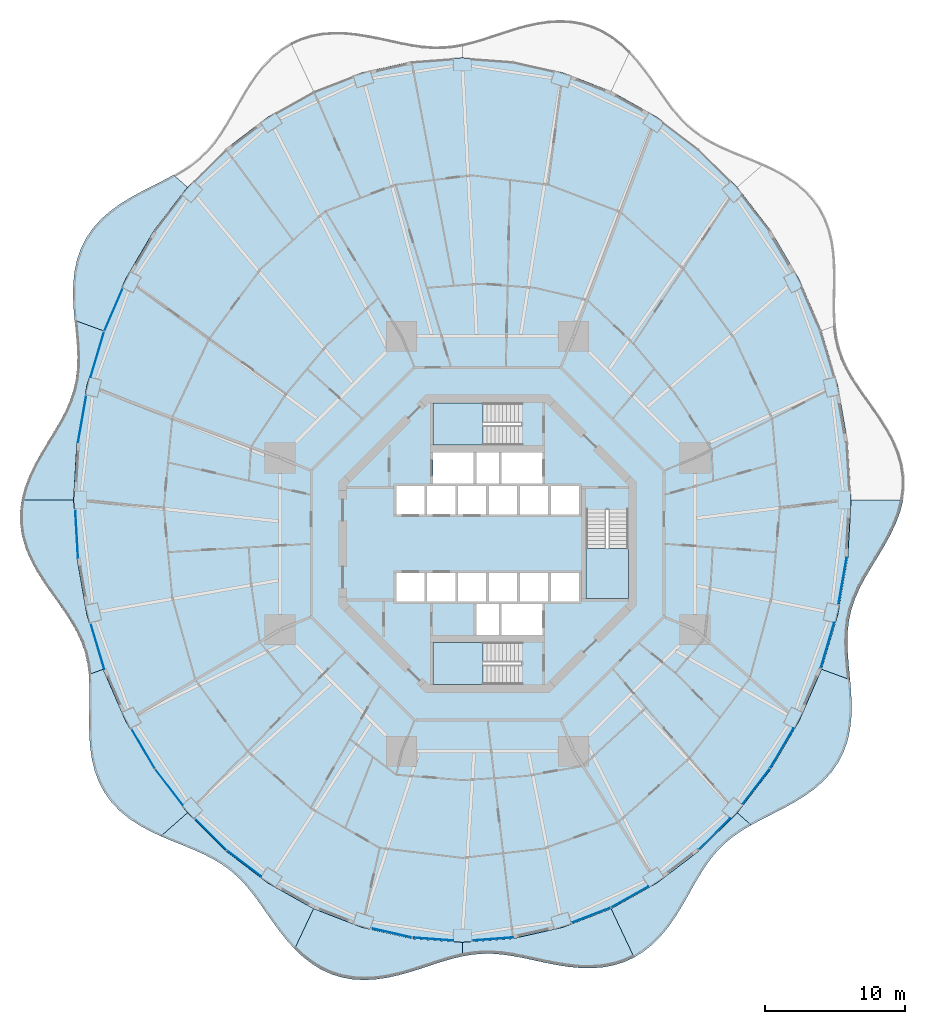
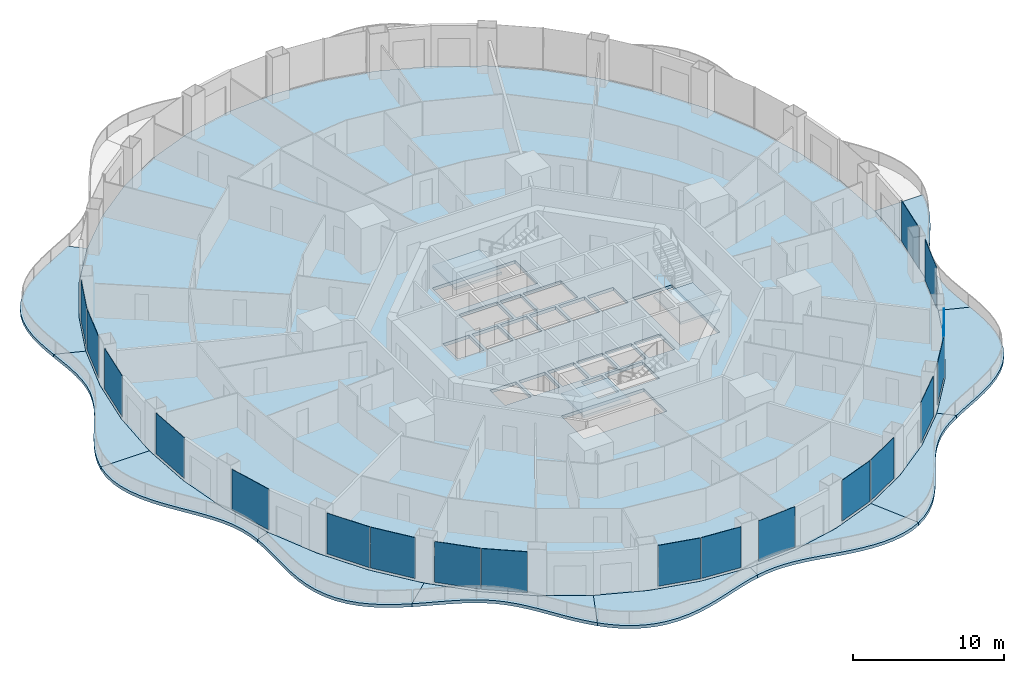
# One storey, part 12 of 22: 19 plates, 14 slabs, 22 elements without a shape of their own.
"""IFC4 building model written with IfcOpenShell, lengths in metres."""

from ifc_helpers import new_model, si_unit, direction, frame, origin, origin_2d, place, context, subcontext, project, spatial, polyline, rectangle, outline, extrude, material, layer, layer_set, type_object, element, aggregate, save


model = new_model("IFC4")

# Units and contexts
model_context = context("Model", 3, precision=1e-05, world=origin(), true_north=direction((0.0, 1.0)))
body_context = subcontext(model_context, "Body", "Model", "MODEL_VIEW")
ifc_project = project(units=[si_unit("LENGTHUNIT", "METRE"), si_unit("AREAUNIT", "SQUARE_METRE"), si_unit("VOLUMEUNIT", "CUBIC_METRE"), si_unit("PLANEANGLEUNIT", "RADIAN"), si_unit("MASSUNIT", "GRAM", prefix="KILO")], contexts=[model_context])

# Site, building, storey
site_placement = place(None, origin())
site = spatial("IfcSite", under=ifc_project, at=site_placement, CompositionType="ELEMENT")
building_placement = place(site_placement, origin())
building = spatial("IfcBuilding", under=site, at=building_placement, Name="Nagisa Residences", CompositionType="ELEMENT")
storey_placement = place(building_placement, frame((0.0, 0.0, 91.800048828125)))
storey = spatial("IfcBuildingStorey", under=building, at=storey_placement, Name="L22", CompositionType="ELEMENT", Elevation=91.800048828125)

# Slabs
ifc_material_1 = material(Name="Concrete C40/50", Category="concrete")
ifc_layer_1 = layer(ifc_material_1, 0.25)
ifc_layer_set_1 = layer_set([ifc_layer_1], Name="BALCONY SLAB 250")
slab_type_1 = type_object("IfcSlabType", Name="BALCONY SLAB 250", PredefinedType="FLOOR", material=ifc_layer_set_1)
slab_1_placement = place(storey_placement, frame((0.0, 0.0, -0.25)))
element("IfcSlab", 1, at=slab_1_placement, inside=storey, type_object=slab_type_1, Name="slab:L22:bal06", PredefinedType="FLOOR", context=body_context, shape_type="SweptSolid", body=[
    extrude(outline(polyline([(-22.373779296875, 26.2724609375), (-23.11279296875, 25.876220703125), (-23.882080078125, 25.485107421875), (-24.665771484375, 25.083251953125), (-25.44482421875, 24.65576171875), (-26.198974609375, 24.189697265625), (-26.908203125, 23.675048828125), (-27.553955078125, 23.104736328125), (-28.119873046875, 22.474853515625), (-28.59423828125, 21.7861328125), (-28.9697265625, 21.0419921875), (-29.244384765625, 20.24951171875), (-29.42236328125, 19.417724609375), (-29.5126953125, 18.557373046875), (-29.530029296875, 17.679931640625), (-29.4921875, 16.796630859375), (-29.4208984375, 15.91845703125), (-27.386962890625, 15.177978515625), (-25.78466796875, 18.875244140625), (-23.77197265625, 22.302734375), (-21.38330078125, 25.402099609375), (-22.373779296875, 26.2724609375)])), origin(), (0.0, 0.0, 1.0), 0.25),
])
slab_2_placement = place(storey_placement, frame((0.0, 0.0, -0.25)))
element("IfcSlab", 2, at=slab_2_placement, inside=storey, type_object=slab_type_1, Name="slab:L22:bal07", PredefinedType="FLOOR", context=body_context, shape_type="SweptSolid", body=[
    extrude(outline(polyline([(-29.4208984375, 15.91845703125), (-29.336181640625, 15.0263671875), (-29.264404296875, 14.15576171875), (-29.22900390625, 13.311279296875), (-29.249267578125, 12.494140625), (-29.340087890625, 11.702880859375), (-29.509765625, 10.933349609375), (-29.7607421875, 10.1796875), (-30.087646484375, 9.43505859375), (-30.4794921875, 8.691650390625), (-30.91845703125, 7.942626953125), (-31.383056640625, 7.181640625), (-31.848388671875, 6.404296875), (-32.28759765625, 5.608154296875), (-32.675048828125, 4.793212890625), (-32.9873046875, 3.9619140625), (-33.204345703125, 3.11767578125), (-29.4951171875, 3.11767578125), (-29.258056640625, 7.231201171875), (-28.55126953125, 11.2744140625), (-27.386962890625, 15.177978515625), (-29.4208984375, 15.91845703125)])), origin(), (0.0, 0.0, 1.0), 0.25),
])
slab_3_placement = place(storey_placement, frame((0.0, 0.0, -0.25)))
element("IfcSlab", 3, at=slab_3_placement, inside=storey, type_object=slab_type_1, Name="slab:L22:bal08", PredefinedType="FLOOR", context=body_context, shape_type="SweptSolid", body=[
    extrude(outline(polyline([(-33.204345703125, 3.11767578125), (-33.3125, 2.2666015625), (-33.303466796875, 1.4150390625), (-33.176025390625, 0.570068359375), (-32.936279296875, -0.262451171875), (-32.596923828125, -1.0771484375), (-32.17578125, -1.870361328125), (-31.6953125, -2.640869140625), (-31.1806640625, -3.389892578125), (-30.658447265625, -4.120849609375), (-30.153564453125, -4.839111328125), (-29.688720703125, -5.552001953125), (-29.282958984375, -6.267578125), (-28.948974609375, -6.994873046875), (-28.693359375, -7.7412109375), (-28.5166015625, -8.513427734375), (-28.41162109375, -9.315673828125), (-27.386962890625, -8.942626953125), (-28.55126953125, -5.0390625), (-29.258056640625, -0.995849609375), (-29.4951171875, 3.11767578125), (-33.204345703125, 3.11767578125)])), origin(), (0.0, 0.0, 1.0), 0.25),
])
slab_4_placement = place(storey_placement, frame((0.0, 0.0, -0.25)))
element("IfcSlab", 4, at=slab_4_placement, inside=storey, type_object=slab_type_1, Name="slab:L22:bal09", PredefinedType="FLOOR", context=body_context, shape_type="SweptSolid", body=[
    extrude(outline(polyline([(-28.41162109375, -9.315673828125), (-28.366455078125, -10.123291015625), (-28.360595703125, -10.959716796875), (-28.37451171875, -11.820068359375), (-28.38623046875, -12.697509765625), (-28.37353515625, -13.58251953125), (-28.3154296875, -14.463623046875), (-28.192626953125, -15.328369140625), (-27.989990234375, -16.16357421875), (-27.696533203125, -16.95703125), (-27.306640625, -17.6982421875), (-26.8203125, -18.37890625), (-26.24267578125, -18.993896484375), (-25.583984375, -19.5419921875), (-24.8583984375, -20.025634765625), (-24.083251953125, -20.451904296875), (-23.277099609375, -20.8310546875), (-21.38330078125, -19.166748046875), (-23.77197265625, -16.0673828125), (-25.78466796875, -12.639892578125), (-27.386962890625, -8.942626953125), (-28.41162109375, -9.315673828125)])), origin(), (0.0, 0.0, 1.0), 0.25),
])
slab_5_placement = place(storey_placement, frame((0.0, 0.0, -0.25)))
element("IfcSlab", 5, at=slab_5_placement, inside=storey, type_object=slab_type_1, Name="slab:L22:bal10", PredefinedType="FLOOR", context=body_context, shape_type="SweptSolid", body=[
    extrude(outline(polyline([(-23.277099609375, -20.8310546875), (-22.497802734375, -21.16064453125), (-21.724365234375, -21.472900390625), (-20.970458984375, -21.782470703125), (-20.248046875, -22.104248046875), (-19.565185546875, -22.451416015625), (-18.9267578125, -22.83642578125), (-18.333251953125, -23.267822265625), (-17.78173828125, -23.751953125), (-17.26611328125, -24.289794921875), (-16.777099609375, -24.87939453125), (-16.3037109375, -25.513427734375), (-15.83349609375, -26.181396484375), (-15.35400390625, -26.868408203125), (-14.853515625, -27.557861328125), (-14.32177734375, -28.23046875), (-13.75048828125, -28.866943359375), (-12.3984375, -25.998291015625), (-15.6474609375, -24.175048828125), (-18.65966796875, -21.884765625), (-21.38330078125, -19.166748046875), (-23.277099609375, -20.8310546875)])), origin(), (0.0, 0.0, 1.0), 0.25),
])
slab_6_placement = place(storey_placement, frame((0.0, 0.0, -0.25)))
element("IfcSlab", 6, at=slab_6_placement, inside=storey, type_object=slab_type_1, Name="slab:L22:bal11", PredefinedType="FLOOR", context=body_context, shape_type="SweptSolid", body=[
    extrude(outline(polyline([(-13.75048828125, -28.866943359375), (-13.15771484375, -29.4287109375), (-12.521240234375, -29.923828125), (-11.841796875, -30.33984375), (-11.122314453125, -30.666748046875), (-10.3681640625, -30.89892578125), (-9.5859375, -31.034912109375), (-8.7841796875, -31.07763671875), (-7.97119140625, -31.0341796875), (-7.15576171875, -30.916015625), (-6.344970703125, -30.737060546875), (-5.54541015625, -30.514892578125), (-4.761474609375, -30.267578125), (-3.99560546875, -30.013916015625), (-3.248291015625, -29.772216796875), (-2.517578125, -29.55908203125), (-1.800048828125, -29.387939453125), (-1.800048828125, -28.397216796875), (-5.4150390625, -28.127685546875), (-8.968017578125, -27.323486328125), (-12.3984375, -25.998291015625), (-13.75048828125, -28.866943359375)])), origin(), (0.0, 0.0, 1.0), 0.25),
])
slab_7_placement = place(storey_placement, frame((0.0, 0.0, -0.25)))
element("IfcSlab", 7, at=slab_7_placement, inside=storey, type_object=slab_type_1, Name="slab:L22:bal12", PredefinedType="FLOOR", context=body_context, shape_type="SweptSolid", body=[
    extrude(outline(polyline([(-1.800048828125, -29.387939453125), (-1.090576171875, -29.268798828125), (-0.383544921875, -29.2080078125), (0.327392578125, -29.206787109375), (1.0478515625, -29.261962890625), (1.783203125, -29.366455078125), (2.5361328125, -29.508544921875), (3.308837890625, -29.673828125), (4.1005859375, -29.84521484375), (4.90869140625, -30.005126953125), (5.728271484375, -30.134521484375), (6.55224609375, -30.21630859375), (7.37255859375, -30.234375), (8.180419921875, -30.176513671875), (8.9658203125, -30.032958984375), (9.72021484375, -29.798095703125), (10.435302734375, -29.471435546875), (8.79833984375, -25.998291015625), (5.367919921875, -27.323486328125), (1.81494140625, -28.127685546875), (-1.800048828125, -28.397216796875), (-1.800048828125, -29.387939453125)])), origin(), (0.0, 0.0, 1.0), 0.25),
])
slab_8_placement = place(storey_placement, frame((0.0, 0.0, -0.25)))
element("IfcSlab", 8, at=slab_8_placement, inside=storey, type_object=slab_type_1, Name="slab:L22:bal13", PredefinedType="FLOOR", context=body_context, shape_type="SweptSolid", body=[
    extrude(outline(polyline([(10.435302734375, -29.471435546875), (11.129638671875, -29.0380859375), (11.77099609375, -28.516845703125), (12.3583984375, -27.919677734375), (12.893310546875, -27.261474609375), (13.38134765625, -26.56005859375), (13.8310546875, -25.833251953125), (14.252685546875, -25.099609375), (14.6591796875, -24.37646484375), (15.064208984375, -23.6787109375), (15.481201171875, -23.0185546875), (15.9228515625, -22.404052734375), (16.400146484375, -21.83984375), (16.921142578125, -21.326171875), (17.490478515625, -20.859619140625), (18.10888671875, -20.43310546875), (18.773681640625, -20.037109375), (17.783203125, -19.166748046875), (15.0595703125, -21.884765625), (12.047607421875, -24.175048828125), (8.79833984375, -25.998291015625), (10.435302734375, -29.471435546875)])), origin(), (0.0, 0.0, 1.0), 0.25),
])
slab_9_placement = place(storey_placement, frame((0.0, 0.0, -0.25)))
element("IfcSlab", 9, at=slab_9_placement, inside=storey, type_object=slab_type_1, Name="slab:L22:bal14", PredefinedType="FLOOR", context=body_context, shape_type="SweptSolid", body=[
    extrude(outline(polyline([(18.773681640625, -20.037109375), (19.5126953125, -19.640869140625), (20.2822265625, -19.249755859375), (21.06591796875, -18.84765625), (21.8447265625, -18.42041015625), (22.59912109375, -17.954345703125), (23.308349609375, -17.439697265625), (23.953857421875, -16.869140625), (24.52001953125, -16.239501953125), (24.994384765625, -15.55078125), (25.36962890625, -14.806640625), (25.64453125, -14.01416015625), (25.822265625, -13.182373046875), (25.912841796875, -12.322021484375), (25.929931640625, -11.444580078125), (25.892333984375, -10.561279296875), (25.821044921875, -9.68310546875), (23.786865234375, -8.942626953125), (22.1845703125, -12.639892578125), (20.171875, -16.0673828125), (17.783203125, -19.166748046875), (18.773681640625, -20.037109375)])), origin(), (0.0, 0.0, 1.0), 0.25),
])
slab_10_placement = place(storey_placement, frame((0.0, 0.0, -0.25)))
element("IfcSlab", 10, at=slab_10_placement, inside=storey, type_object=slab_type_1, Name="slab:L22:bal15", PredefinedType="FLOOR", context=body_context, shape_type="SweptSolid", body=[
    extrude(outline(polyline([(25.821044921875, -9.68310546875), (25.736083984375, -8.791015625), (25.664306640625, -7.92041015625), (25.62890625, -7.075927734375), (25.649169921875, -6.2587890625), (25.739990234375, -5.46728515625), (25.909912109375, -4.697998046875), (26.16064453125, -3.9443359375), (26.48779296875, -3.19970703125), (26.87939453125, -2.456298828125), (27.318603515625, -1.707275390625), (27.783203125, -0.946044921875), (28.248291015625, -0.168701171875), (28.6875, 0.627197265625), (29.074951171875, 1.442138671875), (29.38720703125, 2.273681640625), (29.6044921875, 3.11767578125), (25.89501953125, 3.11767578125), (25.657958984375, -0.995849609375), (24.951416015625, -5.0390625), (23.786865234375, -8.942626953125), (25.821044921875, -9.68310546875)])), origin(), (0.0, 0.0, 1.0), 0.25),
])

# Curtain wall, plate
ifc_material_2 = material(Name="Concrete-coloured aluminium curtain wall system", Category="concrete")
ifc_layer_2 = layer(ifc_material_2, 0.159912109375)
ifc_layer_set_2 = layer_set([ifc_layer_2], Name="CW1 CURTAIN WALL")
curtain_wall_type = type_object("IfcCurtainWallType", Name="CW1 CURTAIN WALL", PredefinedType="NOTDEFINED", material=ifc_layer_set_2)
curtain_wall_1_placement = place(storey_placement, origin())
curtain_wall_1 = element("IfcCurtainWall", 11, at=curtain_wall_1_placement, inside=storey, type_object=curtain_wall_type, Name="cw:CW1:L22:20", PredefinedType="NOTDEFINED")
ifc_material_3 = material(Name="Clear laminated glass", Category="glass")
ifc_layer_3 = layer(ifc_material_3, 0.028076171875)
ifc_layer_set_3 = layer_set([ifc_layer_3], Name="CW1 GLASS PANEL")
plate_type = type_object("IfcPlateType", Name="CW1 GLASS PANEL", PredefinedType="CURTAIN_PANEL", material=ifc_layer_set_3)
plate_1_placement = place(storey_placement, frame((-26.653564453125, 16.6689453125, 0.14990234375), z_axis=(0.0, 0.0, 1.0), x_axis=(-0.397635934147, -0.917543276295, 0.0)))
plate_1 = element("IfcPlate", 12, at=plate_1_placement, type_object=plate_type, Name="CW1 panel", PredefinedType="CURTAIN_PANEL", context=body_context, shape_type="SweptSolid", body=[
    extrude(rectangle(XDim=3.319580078125, YDim=0.028076171875, at=origin_2d()), origin(), (0.0, 0.0, 1.0), 3.2900390625),
])
aggregate(curtain_wall_1, [plate_1])

curtain_wall_2_placement = place(storey_placement, origin())
curtain_wall_2 = element("IfcCurtainWall", 13, at=curtain_wall_2_placement, inside=storey, type_object=curtain_wall_type, Name="cw:CW1:L22:21", PredefinedType="NOTDEFINED")
plate_2_placement = place(storey_placement, frame((-27.80810546875, 13.486083984375, 0.14990234375), z_axis=(0.0, 0.0, 1.0), x_axis=(-0.285860274038, -0.958271310082, 0.0)))
plate_2 = element("IfcPlate", 14, at=plate_2_placement, type_object=plate_type, Name="CW1 panel", PredefinedType="CURTAIN_PANEL", context=body_context, shape_type="SweptSolid", body=[
    extrude(rectangle(XDim=3.363525390625, YDim=0.028076171875, at=origin_2d()), origin(), (0.0, 0.0, 1.0), 3.2900390625),
])
aggregate(curtain_wall_2, [plate_2])

curtain_wall_3_placement = place(storey_placement, origin())
curtain_wall_3 = element("IfcCurtainWall", 15, at=curtain_wall_3_placement, inside=storey, type_object=curtain_wall_type, Name="cw:CW1:L22:22", PredefinedType="NOTDEFINED")
plate_3_placement = place(storey_placement, frame((-28.886962890625, 8.889404296875, 0.14990234375), z_axis=(0.0, 0.0, 1.0), x_axis=(-0.172190868898, -0.985063604377, 0.0)))
plate_3 = element("IfcPlate", 16, at=plate_3_placement, type_object=plate_type, Name="CW1 panel", PredefinedType="CURTAIN_PANEL", context=body_context, shape_type="SweptSolid", body=[
    extrude(rectangle(XDim=3.39453125, YDim=0.028076171875, at=origin_2d()), origin(), (0.0, 0.0, 1.0), 3.2900390625),
])
aggregate(curtain_wall_3, [plate_3])

curtain_wall_4_placement = place(storey_placement, origin())
curtain_wall_4 = element("IfcCurtainWall", 17, at=curtain_wall_4_placement, inside=storey, type_object=curtain_wall_type, Name="cw:CW1:L22:24", PredefinedType="NOTDEFINED")
plate_4_placement = place(storey_placement, frame((-29.2763671875, 0.711181640625, 0.14990234375), z_axis=(0.0, 0.0, 1.0), x_axis=(0.057503492216, -0.998345305184, 0.0)))
plate_4 = element("IfcPlate", 18, at=plate_4_placement, type_object=plate_type, Name="CW1 panel", PredefinedType="CURTAIN_PANEL", context=body_context, shape_type="SweptSolid", body=[
    extrude(rectangle(XDim=3.410400390625, YDim=0.028076171875, at=origin_2d()), origin(), (0.0, 0.0, 1.0), 3.2900390625),
])
aggregate(curtain_wall_4, [plate_4])

curtain_wall_5_placement = place(storey_placement, origin())
curtain_wall_5 = element("IfcCurtainWall", 19, at=curtain_wall_5_placement, inside=storey, type_object=curtain_wall_type, Name="cw:CW1:L22:26", PredefinedType="NOTDEFINED")
plate_5_placement = place(storey_placement, frame((-27.791015625, -7.30810546875, 0.14990234375), z_axis=(0.0, 0.0, 1.0), x_axis=(0.285860274038, -0.958271310082, 0.0)))
plate_5 = element("IfcPlate", 20, at=plate_5_placement, type_object=plate_type, Name="CW1 panel", PredefinedType="CURTAIN_PANEL", context=body_context, shape_type="SweptSolid", body=[
    extrude(rectangle(XDim=3.363525390625, YDim=0.028076171875, at=origin_2d()), origin(), (0.0, 0.0, 1.0), 3.2900390625),
])
aggregate(curtain_wall_5, [plate_5])

curtain_wall_6_placement = place(storey_placement, origin())
curtain_wall_6 = element("IfcCurtainWall", 21, at=curtain_wall_6_placement, inside=storey, type_object=curtain_wall_type, Name="cw:CW1:L22:28", PredefinedType="NOTDEFINED")
plate_6_placement = place(storey_placement, frame((-24.529541015625, -14.619140625, 0.14990234375), z_axis=(0.0, 0.0, 1.0), x_axis=(0.506348567002, -0.862328898214, 0.0)))
plate_6 = element("IfcPlate", 22, at=plate_6_placement, type_object=plate_type, Name="CW1 panel", PredefinedType="CURTAIN_PANEL", context=body_context, shape_type="SweptSolid", body=[
    extrude(rectangle(XDim=3.264892578125, YDim=0.028076171875, at=origin_2d()), origin(), (0.0, 0.0, 1.0), 3.2900390625),
])
aggregate(curtain_wall_6, [plate_6])

curtain_wall_7_placement = place(storey_placement, origin())
curtain_wall_7 = element("IfcCurtainWall", 23, at=curtain_wall_7_placement, inside=storey, type_object=curtain_wall_type, Name="cw:CW1:L22:29", PredefinedType="NOTDEFINED")
plate_7_placement = place(storey_placement, frame((-22.6943359375, -17.334716796875, 0.14990234375), z_axis=(0.0, 0.0, 1.0), x_axis=(0.610429828235, -0.792070340816, 0.0)))
plate_7 = element("IfcPlate", 24, at=plate_7_placement, type_object=plate_type, Name="CW1 panel", PredefinedType="CURTAIN_PANEL", context=body_context, shape_type="SweptSolid", body=[
    extrude(rectangle(XDim=3.202880859375, YDim=0.028076171875, at=origin_2d()), origin(), (0.0, 0.0, 1.0), 3.2900390625),
])
aggregate(curtain_wall_7, [plate_7])

curtain_wall_8_placement = place(storey_placement, origin())
curtain_wall_8 = element("IfcCurtainWall", 25, at=curtain_wall_8_placement, inside=storey, type_object=curtain_wall_type, Name="cw:CW1:L22:30", PredefinedType="NOTDEFINED")
plate_8_placement = place(storey_placement, frame((-19.713623046875, -20.719970703125, 0.14990234375), z_axis=(0.0, 0.0, 1.0), x_axis=(0.707835924016, -0.706376885714, 0.0)))
plate_8 = element("IfcPlate", 26, at=plate_8_placement, type_object=plate_type, Name="CW1 panel", PredefinedType="CURTAIN_PANEL", context=body_context, shape_type="SweptSolid", body=[
    extrude(rectangle(XDim=3.137939453125, YDim=0.028076171875, at=origin_2d()), origin(), (0.0, 0.0, 1.0), 3.2900390625),
])
aggregate(curtain_wall_8, [plate_8])

curtain_wall_9_placement = place(storey_placement, origin())
curtain_wall_9 = element("IfcCurtainWall", 27, at=curtain_wall_9_placement, inside=storey, type_object=curtain_wall_type, Name="cw:CW1:L22:31", PredefinedType="NOTDEFINED")
plate_9_placement = place(storey_placement, frame((-17.340087890625, -22.787841796875, 0.14990234375), z_axis=(0.0, 0.0, 1.0), x_axis=(0.79603132756, -0.605255421737, 0.0)))
plate_9 = element("IfcPlate", 28, at=plate_9_placement, type_object=plate_type, Name="CW1 panel", PredefinedType="CURTAIN_PANEL", context=body_context, shape_type="SweptSolid", body=[
    extrude(rectangle(XDim=3.073974609375, YDim=0.028076171875, at=origin_2d()), origin(), (0.0, 0.0, 1.0), 3.2900390625),
])
aggregate(curtain_wall_9, [plate_9])

curtain_wall_10_placement = place(storey_placement, origin())
curtain_wall_10 = element("IfcCurtainWall", 29, at=curtain_wall_10_placement, inside=storey, type_object=curtain_wall_type, Name="cw:CW1:L22:34", PredefinedType="NOTDEFINED")
plate_10_placement = place(storey_placement, frame((-6.82763671875, -27.725830078125, 0.14990234375), z_axis=(0.0, 0.0, 1.0), x_axis=(0.975327274089, -0.2207639201, 0.0)))
plate_10 = element("IfcPlate", 30, at=plate_10_placement, type_object=plate_type, Name="CW1 panel", PredefinedType="CURTAIN_PANEL", context=body_context, shape_type="SweptSolid", body=[
    extrude(rectangle(XDim=2.932861328125, YDim=0.028076171875, at=origin_2d()), origin(), (0.0, 0.0, 1.0), 3.2900390625),
])
aggregate(curtain_wall_10, [plate_10])

curtain_wall_11_placement = place(storey_placement, origin())
curtain_wall_11 = element("IfcCurtainWall", 31, at=curtain_wall_11_placement, inside=storey, type_object=curtain_wall_type, Name="cw:CW1:L22:35", PredefinedType="NOTDEFINED")
plate_11_placement = place(storey_placement, frame((-3.895751953125, -28.160888671875, 0.14990234375), z_axis=(0.0, 0.0, 1.0), x_axis=(0.997230168512, -0.074377355493, 0.0)))
plate_11 = element("IfcPlate", 32, at=plate_11_placement, type_object=plate_type, Name="CW1 panel", PredefinedType="CURTAIN_PANEL", context=body_context, shape_type="SweptSolid", body=[
    extrude(rectangle(XDim=2.9150390625, YDim=0.028076171875, at=origin_2d()), origin(), (0.0, 0.0, 1.0), 3.2900390625),
])
aggregate(curtain_wall_11, [plate_11])

curtain_wall_12_placement = place(storey_placement, origin())
curtain_wall_12 = element("IfcCurtainWall", 33, at=curtain_wall_12_placement, inside=storey, type_object=curtain_wall_type, Name="cw:CW1:L22:36", PredefinedType="NOTDEFINED")
plate_12_placement = place(storey_placement, frame((0.35546875, -28.15625, 0.14990234375), z_axis=(0.0, 0.0, 1.0), x_axis=(0.997230168512, 0.074377355493, 0.0)))
plate_12 = element("IfcPlate", 34, at=plate_12_placement, type_object=plate_type, Name="CW1 panel", PredefinedType="CURTAIN_PANEL", context=body_context, shape_type="SweptSolid", body=[
    extrude(rectangle(XDim=2.9150390625, YDim=0.028076171875, at=origin_2d()), origin(), (0.0, 0.0, 1.0), 3.2900390625),
])
aggregate(curtain_wall_12, [plate_12])

curtain_wall_13_placement = place(storey_placement, origin())
curtain_wall_13 = element("IfcCurtainWall", 35, at=curtain_wall_13_placement, inside=storey, type_object=curtain_wall_type, Name="cw:CW1:L22:38", PredefinedType="NOTDEFINED")
plate_13_placement = place(storey_placement, frame((7.385498046875, -26.45849609375, 0.14990234375), z_axis=(0.0, 0.0, 1.0), x_axis=(0.932825759707, 0.360327770268, 0.0)))
plate_13 = element("IfcPlate", 36, at=plate_13_placement, type_object=plate_type, Name="CW1 panel", PredefinedType="CURTAIN_PANEL", context=body_context, shape_type="SweptSolid", body=[
    extrude(rectangle(XDim=2.967529296875, YDim=0.028076171875, at=origin_2d()), origin(), (0.0, 0.0, 1.0), 3.2900390625),
])
aggregate(curtain_wall_13, [plate_13])

curtain_wall_14_placement = place(storey_placement, origin())
curtain_wall_14 = element("IfcCurtainWall", 37, at=curtain_wall_14_placement, inside=storey, type_object=curtain_wall_type, Name="cw:CW1:L22:39", PredefinedType="NOTDEFINED")
plate_14_placement = place(storey_placement, frame((10.12646484375, -25.161376953125, 0.14990234375), z_axis=(0.0, 0.0, 1.0), x_axis=(0.872072377523, 0.489376918501, 0.0)))
plate_14 = element("IfcPlate", 38, at=plate_14_placement, type_object=plate_type, Name="CW1 panel", PredefinedType="CURTAIN_PANEL", context=body_context, shape_type="SweptSolid", body=[
    extrude(rectangle(XDim=3.015625, YDim=0.028076171875, at=origin_2d()), origin(), (0.0, 0.0, 1.0), 3.2900390625),
])
aggregate(curtain_wall_14, [plate_14])

curtain_wall_15_placement = place(storey_placement, origin())
curtain_wall_15 = element("IfcCurtainWall", 39, at=curtain_wall_15_placement, inside=storey, type_object=curtain_wall_type, Name="cw:CW1:L22:41", PredefinedType="NOTDEFINED")
plate_15_placement = place(storey_placement, frame((16.15625, -20.677490234375, 0.14990234375), z_axis=(0.0, 0.0, 1.0), x_axis=(0.707835924016, 0.706376885714, 0.0)))
plate_15 = element("IfcPlate", 40, at=plate_15_placement, type_object=plate_type, Name="CW1 panel", PredefinedType="CURTAIN_PANEL", context=body_context, shape_type="SweptSolid", body=[
    extrude(rectangle(XDim=3.137939453125, YDim=0.028076171875, at=origin_2d()), origin(), (0.0, 0.0, 1.0), 3.2900390625),
])
aggregate(curtain_wall_15, [plate_15])

curtain_wall_16_placement = place(storey_placement, origin())
curtain_wall_16 = element("IfcCurtainWall", 41, at=curtain_wall_16_placement, inside=storey, type_object=curtain_wall_type, Name="cw:CW1:L22:42", PredefinedType="NOTDEFINED")
plate_16_placement = place(storey_placement, frame((19.130859375, -17.287109375, 0.14990234375), z_axis=(0.0, 0.0, 1.0), x_axis=(0.610429828235, 0.792070340816, 0.0)))
plate_16 = element("IfcPlate", 42, at=plate_16_placement, type_object=plate_type, Name="CW1 panel", PredefinedType="CURTAIN_PANEL", context=body_context, shape_type="SweptSolid", body=[
    extrude(rectangle(XDim=3.202880859375, YDim=0.028076171875, at=origin_2d()), origin(), (0.0, 0.0, 1.0), 3.2900390625),
])
aggregate(curtain_wall_16, [plate_16])

curtain_wall_17_placement = place(storey_placement, origin())
curtain_wall_17 = element("IfcCurtainWall", 43, at=curtain_wall_17_placement, inside=storey, type_object=curtain_wall_type, Name="cw:CW1:L22:43", PredefinedType="NOTDEFINED")
plate_17_placement = place(storey_placement, frame((20.9599609375, -14.5673828125, 0.14990234375), z_axis=(0.0, 0.0, 1.0), x_axis=(0.506348567002, 0.862328898214, 0.0)))
plate_17 = element("IfcPlate", 44, at=plate_17_placement, type_object=plate_type, Name="CW1 panel", PredefinedType="CURTAIN_PANEL", context=body_context, shape_type="SweptSolid", body=[
    extrude(rectangle(XDim=3.264892578125, YDim=0.028076171875, at=origin_2d()), origin(), (0.0, 0.0, 1.0), 3.2900390625),
])
aggregate(curtain_wall_17, [plate_17])

curtain_wall_18_placement = place(storey_placement, origin())
curtain_wall_18 = element("IfcCurtainWall", 45, at=curtain_wall_18_placement, inside=storey, type_object=curtain_wall_type, Name="cw:CW1:L22:45", PredefinedType="NOTDEFINED")
plate_18_placement = place(storey_placement, frame((24.2080078125, -7.25048828125, 0.14990234375), z_axis=(0.0, 0.0, 1.0), x_axis=(0.285860274038, 0.958271310082, 0.0)))
plate_18 = element("IfcPlate", 46, at=plate_18_placement, type_object=plate_type, Name="CW1 panel", PredefinedType="CURTAIN_PANEL", context=body_context, shape_type="SweptSolid", body=[
    extrude(rectangle(XDim=3.363525390625, YDim=0.028076171875, at=origin_2d()), origin(), (0.0, 0.0, 1.0), 3.2900390625),
])
aggregate(curtain_wall_18, [plate_18])

curtain_wall_19_placement = place(storey_placement, origin())
curtain_wall_19 = element("IfcCurtainWall", 47, at=curtain_wall_19_placement, inside=storey, type_object=curtain_wall_type, Name="cw:CW1:L22:46", PredefinedType="NOTDEFINED")
plate_19_placement = place(storey_placement, frame((25.287109375, -2.654052734375, 0.14990234375), z_axis=(0.0, 0.0, 1.0), x_axis=(0.172190868898, 0.985063604377, 0.0)))
plate_19 = element("IfcPlate", 48, at=plate_19_placement, type_object=plate_type, Name="CW1 panel", PredefinedType="CURTAIN_PANEL", context=body_context, shape_type="SweptSolid", body=[
    extrude(rectangle(XDim=3.39453125, YDim=0.028076171875, at=origin_2d()), origin(), (0.0, 0.0, 1.0), 3.2900390625),
])
aggregate(curtain_wall_19, [plate_19])

# Slab
ifc_material_4 = material(Name="Concrete C40", Category="concrete")
ifc_layer_4 = layer(ifc_material_4, 0.260009765625)
ifc_layer_set_4 = layer_set([ifc_layer_4], Name="Floor slab 260")
slab_type_2 = type_object("IfcSlabType", Name="Floor slab 260", PredefinedType="FLOOR", material=ifc_layer_set_4)
slab_11_placement = place(storey_placement, frame((0.0, 0.0, -0.260009765625)))
element("IfcSlab", 49, at=slab_11_placement, inside=storey, type_object=slab_type_2, Name="slab:L22:floor", PredefinedType="FLOOR", context=body_context, shape_type="SweptSolid", body=[
    extrude(outline(polyline([(25.89501953125, 3.11767578125), (25.657958984375, 7.231201171875), (24.951416015625, 11.2744140625), (23.786865234375, 15.177978515625), (22.1845703125, 18.875244140625), (20.171875, 22.302734375), (17.783203125, 25.402099609375), (15.0595703125, 28.1201171875), (12.047607421875, 30.410400390625), (8.79833984375, 32.233642578125), (5.367919921875, 33.558837890625), (1.81494140625, 34.363037109375), (-1.800048828125, 34.6328125), (-5.4150390625, 34.363037109375), (-8.968017578125, 33.558837890625), (-12.3984375, 32.233642578125), (-15.6474609375, 30.410400390625), (-18.65966796875, 28.1201171875), (-21.38330078125, 25.402099609375), (-23.77197265625, 22.302734375), (-25.78466796875, 18.875244140625), (-27.386962890625, 15.177978515625), (-28.55126953125, 11.2744140625), (-29.258056640625, 7.231201171875), (-29.4951171875, 3.11767578125), (-29.258056640625, -0.995849609375), (-28.55126953125, -5.0390625), (-27.386962890625, -8.942626953125), (-25.78466796875, -12.639892578125), (-23.77197265625, -16.0673828125), (-21.38330078125, -19.166748046875), (-18.65966796875, -21.884765625), (-15.6474609375, -24.175048828125), (-12.3984375, -25.998291015625), (-8.968017578125, -27.323486328125), (-5.4150390625, -28.127685546875), (-1.800048828125, -28.397216796875), (1.81494140625, -28.127685546875), (5.367919921875, -27.323486328125), (8.79833984375, -25.998291015625), (12.047607421875, -24.175048828125), (15.0595703125, -21.884765625), (17.783203125, -19.166748046875), (20.171875, -16.0673828125), (22.1845703125, -12.639892578125), (23.786865234375, -8.942626953125), (24.951416015625, -5.0390625), (25.657958984375, -0.995849609375), (25.89501953125, 3.11767578125)]), holes=[polyline([(-4.5, 2.10009765625), (-4.5, 4.10009765625), (-6.5, 4.10009765625), (-6.5, 2.10009765625), (-4.5, 2.10009765625)]), polyline([(-2.300048828125, 2.10009765625), (-2.300048828125, 4.10009765625), (-4.300048828125, 4.10009765625), (-4.300048828125, 2.10009765625), (-2.300048828125, 2.10009765625)]), polyline([(-0.10009765625, 2.10009765625), (-0.10009765625, 4.10009765625), (-2.10009765625, 4.10009765625), (-2.10009765625, 2.10009765625), (-0.10009765625, 2.10009765625)]), polyline([(2.10009765625, 2.10009765625), (2.10009765625, 4.10009765625), (0.10009765625, 4.10009765625), (0.10009765625, 2.10009765625), (2.10009765625, 2.10009765625)]), polyline([(4.300048828125, 2.10009765625), (4.300048828125, 4.10009765625), (2.300048828125, 4.10009765625), (2.300048828125, 2.10009765625), (4.300048828125, 2.10009765625)]), polyline([(6.5, 2.10009765625), (6.5, 4.10009765625), (4.5, 4.10009765625), (4.5, 2.10009765625), (6.5, 2.10009765625)]), polyline([(-4.5, -4.10009765625), (-4.5, -2.10009765625), (-6.5, -2.10009765625), (-6.5, -4.10009765625), (-4.5, -4.10009765625)]), polyline([(-2.300048828125, -4.10009765625), (-2.300048828125, -2.10009765625), (-4.300048828125, -2.10009765625), (-4.300048828125, -4.10009765625), (-2.300048828125, -4.10009765625)]), polyline([(-0.10009765625, -4.10009765625), (-0.10009765625, -2.10009765625), (-2.10009765625, -2.10009765625), (-2.10009765625, -4.10009765625), (-0.10009765625, -4.10009765625)]), polyline([(2.10009765625, -4.10009765625), (2.10009765625, -2.10009765625), (0.10009765625, -2.10009765625), (0.10009765625, -4.10009765625), (2.10009765625, -4.10009765625)]), polyline([(4.300048828125, -4.10009765625), (4.300048828125, -2.10009765625), (2.300048828125, -2.10009765625), (2.300048828125, -4.10009765625), (4.300048828125, -4.10009765625)]), polyline([(6.5, -4.10009765625), (6.5, -2.10009765625), (4.5, -2.10009765625), (4.5, -4.10009765625), (6.5, -4.10009765625)]), polyline([(3.89990234375, 4.300048828125), (3.89990234375, 6.5), (1.0, 6.5), (1.0, 4.300048828125), (3.89990234375, 4.300048828125)]), polyline([(3.89990234375, -6.5), (3.89990234375, -4.300048828125), (1.0, -4.300048828125), (1.0, -6.5), (3.89990234375, -6.5)]), polyline([(-1.0, 4.300048828125), (-1.0, 6.5), (-3.89990234375, 6.5), (-3.89990234375, 4.300048828125), (-1.0, 4.300048828125)]), polyline([(0.800048828125, 4.300048828125), (0.800048828125, 6.5), (-0.800048828125, 6.5), (-0.800048828125, 4.300048828125), (0.800048828125, 4.300048828125)]), polyline([(0.800048828125, -6.5), (0.800048828125, -4.300048828125), (-0.800048828125, -4.300048828125), (-0.800048828125, -6.5), (0.800048828125, -6.5)]), polyline([(10.024658203125, -3.89990234375), (7.024658203125, -3.89990234375), (7.024658203125, 2.425048828125), (10.024658203125, 2.425048828125), (10.024658203125, -3.89990234375)]), polyline([(-3.89990234375, 7.024658203125), (-3.89990234375, 10.024658203125), (2.425048828125, 10.024658203125), (2.425048828125, 7.024658203125), (-3.89990234375, 7.024658203125)]), polyline([(-3.89990234375, -10.024658203125), (-3.89990234375, -7.024658203125), (2.425048828125, -7.024658203125), (2.425048828125, -10.024658203125), (-3.89990234375, -10.024658203125)])]), origin(), (0.0, 0.0, 1.0), 0.260009765625),
])

# Stair, slab
ifc_material_5 = material(Name="Concrete C60", Category="concrete")
stair_type = type_object("IfcStairType", Name="Exit stair", PredefinedType="HALF_TURN_STAIR", material=ifc_material_5)
stair_1_placement = place(storey_placement, origin())
stair_1 = element("IfcStair", 50, at=stair_1_placement, inside=storey, type_object=stair_type, Name="L22 Exit stair E", PredefinedType="HALF_TURN_STAIR")
ifc_material_6 = material(Name="Concrete C60", Category="concrete")
ifc_layer_5 = layer(ifc_material_6, 0.199951171875)
ifc_layer_set_5 = layer_set([ifc_layer_5], Name="Stair landing")
slab_type_3 = type_object("IfcSlabType", Name="Stair landing", PredefinedType="LANDING", material=ifc_layer_set_5)
slab_12_placement = place(storey_placement, frame((0.0, 0.0, 1.64990234375)))
slab_12 = element("IfcSlab", 51, at=slab_12_placement, type_object=slab_type_3, Name="ST-E landing 1", PredefinedType="LANDING", context=body_context, shape_type="SweptSolid", body=[
    extrude(outline(polyline([(7.024658203125, -0.324951171875), (7.024658203125, -3.89990234375), (10.024658203125, -3.89990234375), (10.024658203125, -0.324951171875), (7.024658203125, -0.324951171875)])), origin(), (0.0, 0.0, 1.0), 0.199951171875),
])
aggregate(stair_1, [slab_12])

stair_2_placement = place(storey_placement, origin())
stair_2 = element("IfcStair", 52, at=stair_2_placement, inside=storey, type_object=stair_type, Name="L22 Exit stair N", PredefinedType="HALF_TURN_STAIR")
slab_13_placement = place(storey_placement, frame((0.0, 0.0, 1.64990234375)))
slab_13 = element("IfcSlab", 53, at=slab_13_placement, type_object=slab_type_3, Name="ST-N landing 1", PredefinedType="LANDING", context=body_context, shape_type="SweptSolid", body=[
    extrude(outline(polyline([(-0.324951171875, 10.024658203125), (-3.89990234375, 10.024658203125), (-3.89990234375, 7.024658203125), (-0.324951171875, 7.024658203125), (-0.324951171875, 10.024658203125)])), origin(), (0.0, 0.0, 1.0), 0.199951171875),
])
aggregate(stair_2, [slab_13])

stair_3_placement = place(storey_placement, origin())
stair_3 = element("IfcStair", 54, at=stair_3_placement, inside=storey, type_object=stair_type, Name="L22 Exit stair S", PredefinedType="HALF_TURN_STAIR")
slab_14_placement = place(storey_placement, frame((0.0, 0.0, 1.64990234375)))
slab_14 = element("IfcSlab", 55, at=slab_14_placement, type_object=slab_type_3, Name="ST-S landing 1", PredefinedType="LANDING", context=body_context, shape_type="SweptSolid", body=[
    extrude(outline(polyline([(-0.324951171875, -7.024658203125), (-3.89990234375, -7.024658203125), (-3.89990234375, -10.024658203125), (-0.324951171875, -10.024658203125), (-0.324951171875, -7.024658203125)])), origin(), (0.0, 0.0, 1.0), 0.199951171875),
])
aggregate(stair_3, [slab_14])

save(model, "model.ifc")
